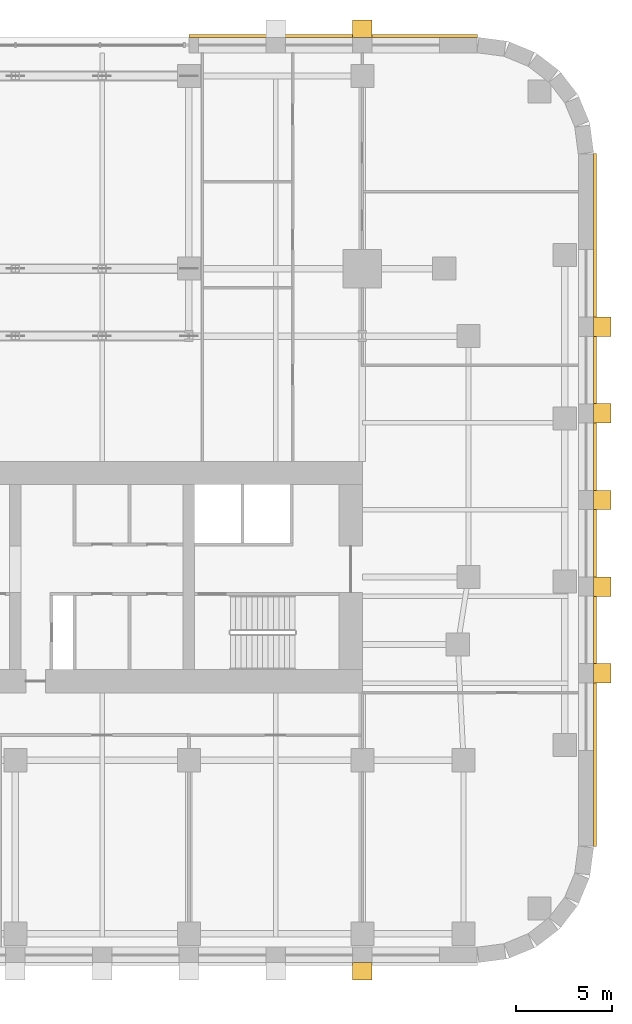
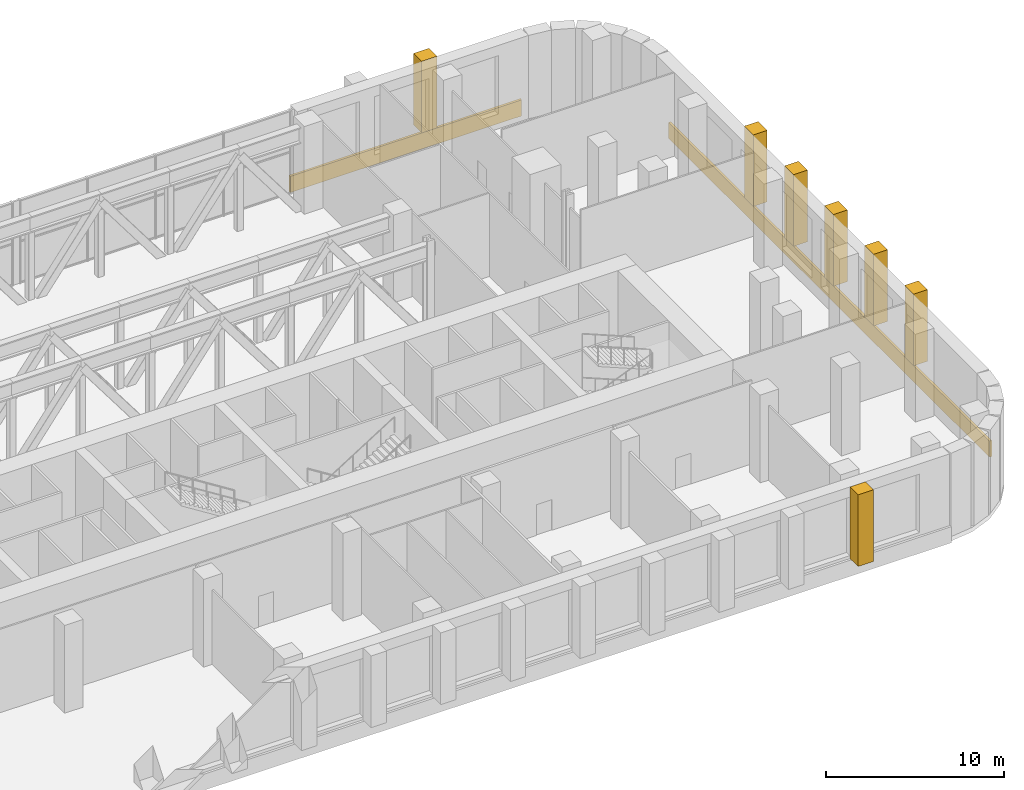
# One storey, part 13 of 13: 9 coverings.
"""IFC4 building model written with IfcOpenShell, lengths in metres."""

from ifc_helpers import new_model, si_unit, direction, frame, origin, place, context, subcontext, project, spatial, polyline, outline, extrude, material, layer, layer_set, type_object, element, save


model = new_model("IFC4")

# Units and contexts
model_context = context("Model", 3, precision=1e-05, world=origin(), true_north=direction((0.0, 1.0)))
body_context = subcontext(model_context, "Body", "Model", "MODEL_VIEW")
ifc_project = project(units=[si_unit("LENGTHUNIT", "METRE"), si_unit("AREAUNIT", "SQUARE_METRE"), si_unit("VOLUMEUNIT", "CUBIC_METRE"), si_unit("PLANEANGLEUNIT", "RADIAN"), si_unit("MASSUNIT", "GRAM", prefix="KILO")], contexts=[model_context])

# Site, building, storey
site_placement = place(None, origin())
site = spatial("IfcSite", under=ifc_project, at=site_placement, CompositionType="ELEMENT")
building_placement = place(site_placement, origin())
building = spatial("IfcBuilding", under=site, at=building_placement, Name="Zellij Exchange Tower", CompositionType="ELEMENT")
storey_placement = place(building_placement, frame((0.0, 0.0, 27.0)))
storey = spatial("IfcBuildingStorey", under=building, at=storey_placement, Name="L04", CompositionType="ELEMENT", Elevation=27.0)

# Coverings
ifc_material = material(Name="Limestone cladding", Category="masonry")
ifc_layer = layer(ifc_material, 0.14990234375)
ifc_layer_set = layer_set([ifc_layer], Name="Limestone cladding")
covering_type_1 = type_object("IfcCoveringType", Name="ENV-CV1 Stone spandrel band 150", PredefinedType="CLADDING", material=ifc_layer_set)
covering_1_placement = place(storey_placement, frame((0.0, 0.0, -0.300048828125)))
element("IfcCovering", 1, at=covering_1_placement, inside=storey, type_object=covering_type_1, Name="Stone spandrel band", PredefinedType="CLADDING", context=body_context, shape_type="SweptSolid", body=[
    extrude(outline(polyline([(39.0, -21.973876953125), (39.0, 13.973876953125), (39.14990234375, 13.983642578125), (39.14990234375, -21.983642578125), (39.0, -21.973876953125)])), origin(), (0.0, 0.0, 1.0), 1.10009765625),
])
covering_2_placement = place(storey_placement, frame((0.0, 0.0, -0.300048828125)))
element("IfcCovering", 2, at=covering_2_placement, inside=storey, type_object=covering_type_1, Name="Stone spandrel band", PredefinedType="CLADDING", context=body_context, shape_type="SweptSolid", body=[
    extrude(outline(polyline([(32.973876953125, 20.0), (18.0, 20.0), (18.0, 20.14990234375), (32.983642578125, 20.14990234375), (32.973876953125, 20.0)])), origin(), (0.0, 0.0, 1.0), 1.10009765625),
])
covering_type_2 = type_object("IfcCoveringType", Name="ENV-CV2 Stone pier 1000x900", PredefinedType="CLADDING", material=ifc_material)
covering_3_placement = place(storey_placement, frame((0.0, 0.0, 0.800048828125)))
element("IfcCovering", 3, at=covering_3_placement, inside=storey, type_object=covering_type_2, Name="Stone pier", PredefinedType="CLADDING", context=body_context, shape_type="SweptSolid", body=[
    extrude(outline(polyline([(26.5, -28.0), (27.5, -28.0), (27.5, -28.89990234375), (26.5, -28.89990234375), (26.5, -28.0)])), origin(), (0.0, 0.0, 1.0), 4.89990234375),
])
covering_4_placement = place(storey_placement, frame((0.0, 0.0, 0.800048828125)))
element("IfcCovering", 4, at=covering_4_placement, inside=storey, type_object=covering_type_2, Name="Stone pier", PredefinedType="CLADDING", context=body_context, shape_type="SweptSolid", body=[
    extrude(outline(polyline([(39.0, -13.48681640625), (39.0, -12.48681640625), (39.89990234375, -12.48681640625), (39.89990234375, -13.48681640625), (39.0, -13.48681640625)])), origin(), (0.0, 0.0, 1.0), 4.89990234375),
])
covering_5_placement = place(storey_placement, frame((0.0, 0.0, 0.800048828125)))
element("IfcCovering", 5, at=covering_5_placement, inside=storey, type_object=covering_type_2, Name="Stone pier", PredefinedType="CLADDING", context=body_context, shape_type="SweptSolid", body=[
    extrude(outline(polyline([(39.0, -8.993408203125), (39.0, -7.993408203125), (39.89990234375, -7.993408203125), (39.89990234375, -8.993408203125), (39.0, -8.993408203125)])), origin(), (0.0, 0.0, 1.0), 4.89990234375),
])
covering_6_placement = place(storey_placement, frame((0.0, 0.0, 0.800048828125)))
element("IfcCovering", 6, at=covering_6_placement, inside=storey, type_object=covering_type_2, Name="Stone pier", PredefinedType="CLADDING", context=body_context, shape_type="SweptSolid", body=[
    extrude(outline(polyline([(39.0, -4.5), (39.0, -3.5), (39.89990234375, -3.5), (39.89990234375, -4.5), (39.0, -4.5)])), origin(), (0.0, 0.0, 1.0), 4.89990234375),
])
covering_7_placement = place(storey_placement, frame((0.0, 0.0, 0.800048828125)))
element("IfcCovering", 7, at=covering_7_placement, inside=storey, type_object=covering_type_2, Name="Stone pier", PredefinedType="CLADDING", context=body_context, shape_type="SweptSolid", body=[
    extrude(outline(polyline([(39.0, -0.006591796875), (39.0, 0.993408203125), (39.89990234375, 0.993408203125), (39.89990234375, -0.006591796875), (39.0, -0.006591796875)])), origin(), (0.0, 0.0, 1.0), 4.89990234375),
])
covering_8_placement = place(storey_placement, frame((0.0, 0.0, 0.800048828125)))
element("IfcCovering", 8, at=covering_8_placement, inside=storey, type_object=covering_type_2, Name="Stone pier", PredefinedType="CLADDING", context=body_context, shape_type="SweptSolid", body=[
    extrude(outline(polyline([(39.0, 4.48681640625), (39.0, 5.48681640625), (39.89990234375, 5.48681640625), (39.89990234375, 4.48681640625), (39.0, 4.48681640625)])), origin(), (0.0, 0.0, 1.0), 4.89990234375),
])
covering_9_placement = place(storey_placement, frame((0.0, 0.0, 0.800048828125)))
element("IfcCovering", 9, at=covering_9_placement, inside=storey, type_object=covering_type_2, Name="Stone pier", PredefinedType="CLADDING", context=body_context, shape_type="SweptSolid", body=[
    extrude(outline(polyline([(27.5, 20.0), (26.5, 20.0), (26.5, 20.89990234375), (27.5, 20.89990234375), (27.5, 20.0)])), origin(), (0.0, 0.0, 1.0), 4.89990234375),
])

save(model, "model.ifc")
